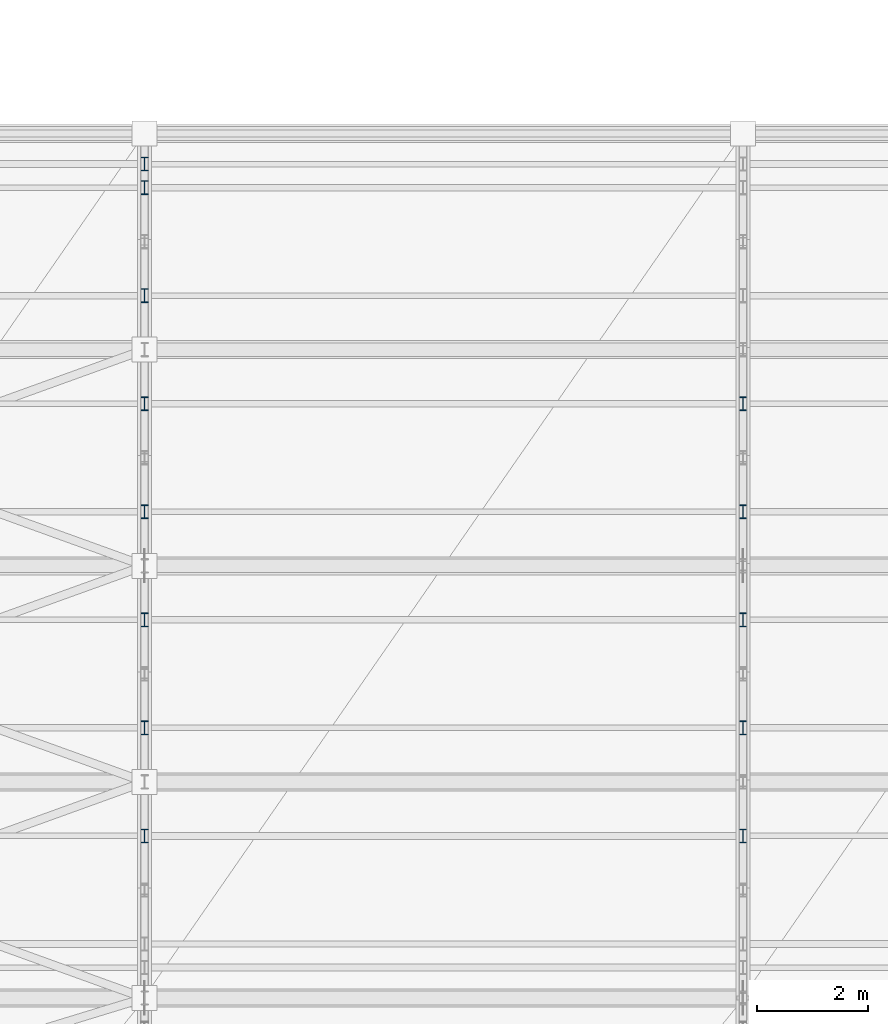
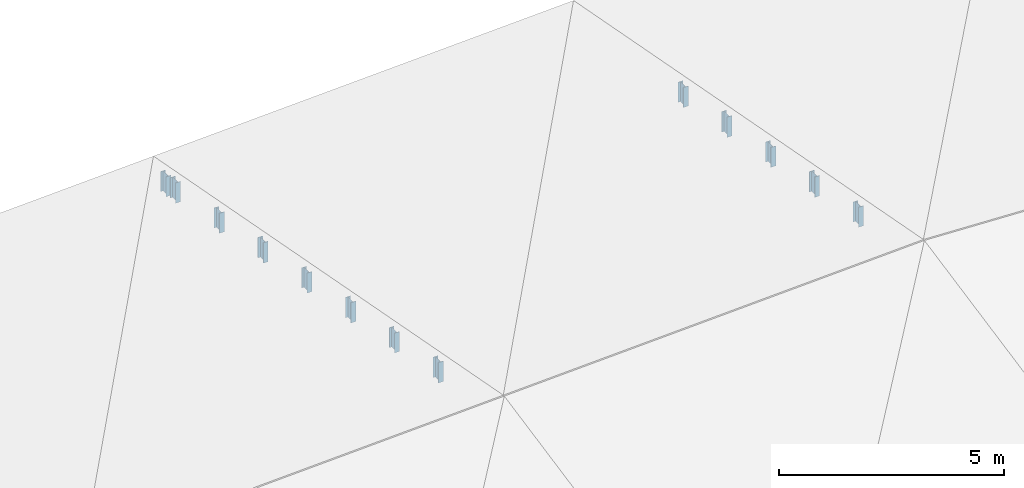
# One storey, part 54 of 89: 13 members.
"""IFC4 building model written with IfcOpenShell, lengths in metres."""

from ifc_helpers import new_model, si_unit, direction, frame, origin, origin_2d, place, context, subcontext, project, spatial, i_section, extrude, material, material_profile, profile_set, type_object, element, save


model = new_model("IFC4")

# Units and contexts
model_context = context("Model", 3, precision=1e-05, world=origin(), true_north=direction((0.0, 1.0)))
body_context = subcontext(model_context, "Body", "Model", "MODEL_VIEW")
ifc_project = project(units=[si_unit("LENGTHUNIT", "METRE"), si_unit("AREAUNIT", "SQUARE_METRE"), si_unit("VOLUMEUNIT", "CUBIC_METRE"), si_unit("PLANEANGLEUNIT", "RADIAN"), si_unit("MASSUNIT", "GRAM", prefix="KILO")], contexts=[model_context])

# Site, building, storey
site_placement = place(None, origin())
site = spatial("IfcSite", under=ifc_project, at=site_placement, CompositionType="ELEMENT")
building_placement = place(site_placement, origin())
building = spatial("IfcBuilding", under=site, at=building_placement, Name="Suirenkawa Promenade Aquatics Centre", CompositionType="ELEMENT")
storey_placement = place(building_placement, frame((0.0, 0.0, 9.60009765625)))
storey = spatial("IfcBuildingStorey", under=building, at=storey_placement, Name="L02", CompositionType="ELEMENT", Elevation=9.60009765625)

# Members
ifc_material = material(Name="Steel IS 2062 E350 (Grade 350)", Category="steel")
ifc_material_profile = material_profile(ifc_material, i_section(OverallWidth=0.125, OverallDepth=0.25, WebThickness=0.007080078125, FlangeThickness=0.012939453125, at=origin_2d()), Name="ISMB 250", Category="steel")
ifc_profile_set = profile_set([ifc_material_profile], Name="Steel IS 2062 E350 (Grade 350)")
member_type = type_object("IfcMemberType", Name="MT-WEB-CHS168", PredefinedType="BRACE", material=ifc_profile_set)
member_1_placement = place(storey_placement, frame((133.199951171875, 16.125, 1.216796875), z_axis=(0.0, 0.0, 1.0), x_axis=(1.0, 0.0, 0.0)))
element("IfcMember", 1, at=member_1_placement, inside=storey, type_object=member_type, Name="ROOF TRUSS Purlin cleat post TD-03 MB-2810", PredefinedType="BRACE", context=body_context, shape_type="SweptSolid", body=[
    extrude(i_section(OverallWidth=0.125, OverallDepth=0.25, WebThickness=0.007080078125, FlangeThickness=0.012939453125, at=origin_2d()), origin(), (0.0, 0.0, 1.0), 0.55322265625),
])
member_2_placement = place(storey_placement, frame((133.199951171875, 18.074951171875, 0.847900390625), z_axis=(0.0, 0.0, 1.0), x_axis=(1.0, 0.0, 0.0)))
element("IfcMember", 2, at=member_2_placement, inside=storey, type_object=member_type, Name="ROOF TRUSS Purlin cleat post TD-03 MB-2812", PredefinedType="BRACE", context=body_context, shape_type="SweptSolid", body=[
    extrude(i_section(OverallWidth=0.125, OverallDepth=0.25, WebThickness=0.007080078125, FlangeThickness=0.012939453125, at=origin_2d()), origin(), (0.0, 0.0, 1.0), 0.541015625),
])
member_3_placement = place(storey_placement, frame((133.199951171875, 20.02490234375, 0.47900390625), z_axis=(0.0, 0.0, 1.0), x_axis=(1.0, 0.0, 0.0)))
element("IfcMember", 3, at=member_3_placement, inside=storey, type_object=member_type, Name="ROOF TRUSS Purlin cleat post TD-03 MB-2814", PredefinedType="BRACE", context=body_context, shape_type="SweptSolid", body=[
    extrude(i_section(OverallWidth=0.125, OverallDepth=0.25, WebThickness=0.007080078125, FlangeThickness=0.012939453125, at=origin_2d()), origin(), (0.0, 0.0, 1.0), 0.552978515625),
])
member_4_placement = place(storey_placement, frame((133.199951171875, 21.97509765625, 0.11083984375), z_axis=(0.0, 0.0, 1.0), x_axis=(1.0, 0.0, 0.0)))
element("IfcMember", 4, at=member_4_placement, inside=storey, type_object=member_type, Name="ROOF TRUSS Purlin cleat post TD-03 MB-2816", PredefinedType="BRACE", context=body_context, shape_type="SweptSolid", body=[
    extrude(i_section(OverallWidth=0.125, OverallDepth=0.25, WebThickness=0.007080078125, FlangeThickness=0.012939453125, at=origin_2d()), origin(), (0.0, 0.0, 1.0), 0.541015625),
])
member_5_placement = place(storey_placement, frame((133.199951171875, 23.925048828125, -0.258056640625), z_axis=(0.0, 0.0, 1.0), x_axis=(1.0, 0.0, 0.0)))
element("IfcMember", 5, at=member_5_placement, inside=storey, type_object=member_type, Name="ROOF TRUSS Purlin cleat post TD-03 MB-2818", PredefinedType="BRACE", context=body_context, shape_type="SweptSolid", body=[
    extrude(i_section(OverallWidth=0.125, OverallDepth=0.25, WebThickness=0.007080078125, FlangeThickness=0.012939453125, at=origin_2d()), origin(), (0.0, 0.0, 1.0), 0.552978515625),
])
member_6_placement = place(storey_placement, frame((133.199951171875, 25.875, -0.627197265625), z_axis=(0.0, 0.0, 1.0), x_axis=(1.0, 0.0, 0.0)))
element("IfcMember", 6, at=member_6_placement, inside=storey, type_object=member_type, Name="ROOF TRUSS Purlin cleat post TD-03 MB-2820", PredefinedType="BRACE", context=body_context, shape_type="SweptSolid", body=[
    extrude(i_section(OverallWidth=0.125, OverallDepth=0.25, WebThickness=0.007080078125, FlangeThickness=0.012939453125, at=origin_2d()), origin(), (0.0, 0.0, 1.0), 0.541015625),
])
member_7_placement = place(storey_placement, frame((133.199951171875, 27.824951171875, -0.99609375), z_axis=(0.0, 0.0, 1.0), x_axis=(1.0, 0.0, 0.0)))
element("IfcMember", 7, at=member_7_placement, inside=storey, type_object=member_type, Name="ROOF TRUSS Purlin cleat post TD-03 MB-2822", PredefinedType="BRACE", context=body_context, shape_type="SweptSolid", body=[
    extrude(i_section(OverallWidth=0.125, OverallDepth=0.25, WebThickness=0.007080078125, FlangeThickness=0.012939453125, at=origin_2d()), origin(), (0.0, 0.0, 1.0), 0.552978515625),
])
for number, where, z_axis, x_axis, name in (
    (8, (133.199951171875, 28.25, -1.076171875), (0.0, 0.0, 1.0), (1.0, 0.0, 0.0), "ROOF TRUSS Purlin cleat post TD-03 MB-2824"),
    (9, (144.0, 16.125, 1.6669921875), (0.0, 0.0, 1.0), (1.0, 0.0, 0.0), "ROOF TRUSS Purlin cleat post TD-03 MB-2850"),
):
    element("IfcMember", number, at=place(storey_placement, frame(where, z_axis=z_axis, x_axis=x_axis)), inside=storey, type_object=member_type, Name=name, PredefinedType="BRACE", context=body_context, shape_type="SweptSolid", body=[
        extrude(i_section(OverallWidth=0.125, OverallDepth=0.25, WebThickness=0.007080078125, FlangeThickness=0.012939453125, at=origin_2d()), origin(), (0.0, 0.0, 1.0), 0.541015625),
    ])
member_8_placement = place(storey_placement, frame((144.0, 18.074951171875, 1.2978515625), z_axis=(0.0, 0.0, 1.0), x_axis=(1.0, 0.0, 0.0)))
element("IfcMember", 10, at=member_8_placement, inside=storey, type_object=member_type, Name="ROOF TRUSS Purlin cleat post TD-03 MB-2852", PredefinedType="BRACE", context=body_context, shape_type="SweptSolid", body=[
    extrude(i_section(OverallWidth=0.125, OverallDepth=0.25, WebThickness=0.007080078125, FlangeThickness=0.012939453125, at=origin_2d()), origin(), (0.0, 0.0, 1.0), 0.552978515625),
])
member_9_placement = place(storey_placement, frame((144.0, 20.02490234375, 0.928955078125), z_axis=(0.0, 0.0, 1.0), x_axis=(1.0, 0.0, 0.0)))
element("IfcMember", 11, at=member_9_placement, inside=storey, type_object=member_type, Name="ROOF TRUSS Purlin cleat post TD-03 MB-2854", PredefinedType="BRACE", context=body_context, shape_type="SweptSolid", body=[
    extrude(i_section(OverallWidth=0.125, OverallDepth=0.25, WebThickness=0.007080078125, FlangeThickness=0.012939453125, at=origin_2d()), origin(), (0.0, 0.0, 1.0), 0.5419921875),
])
member_10_placement = place(storey_placement, frame((144.0, 21.97509765625, 0.560791015625), z_axis=(0.0, 0.0, 1.0), x_axis=(1.0, 0.0, 0.0)))
element("IfcMember", 12, at=member_10_placement, inside=storey, type_object=member_type, Name="ROOF TRUSS Purlin cleat post TD-03 MB-2856", PredefinedType="BRACE", context=body_context, shape_type="SweptSolid", body=[
    extrude(i_section(OverallWidth=0.125, OverallDepth=0.25, WebThickness=0.007080078125, FlangeThickness=0.012939453125, at=origin_2d()), origin(), (0.0, 0.0, 1.0), 0.55322265625),
])
member_11_placement = place(storey_placement, frame((144.0, 23.925048828125, 0.19189453125), z_axis=(0.0, 0.0, 1.0), x_axis=(1.0, 0.0, 0.0)))
element("IfcMember", 13, at=member_11_placement, inside=storey, type_object=member_type, Name="ROOF TRUSS Purlin cleat post TD-03 MB-2858", PredefinedType="BRACE", context=body_context, shape_type="SweptSolid", body=[
    extrude(i_section(OverallWidth=0.125, OverallDepth=0.25, WebThickness=0.007080078125, FlangeThickness=0.012939453125, at=origin_2d()), origin(), (0.0, 0.0, 1.0), 0.541015625),
])

save(model, "model.ifc")
